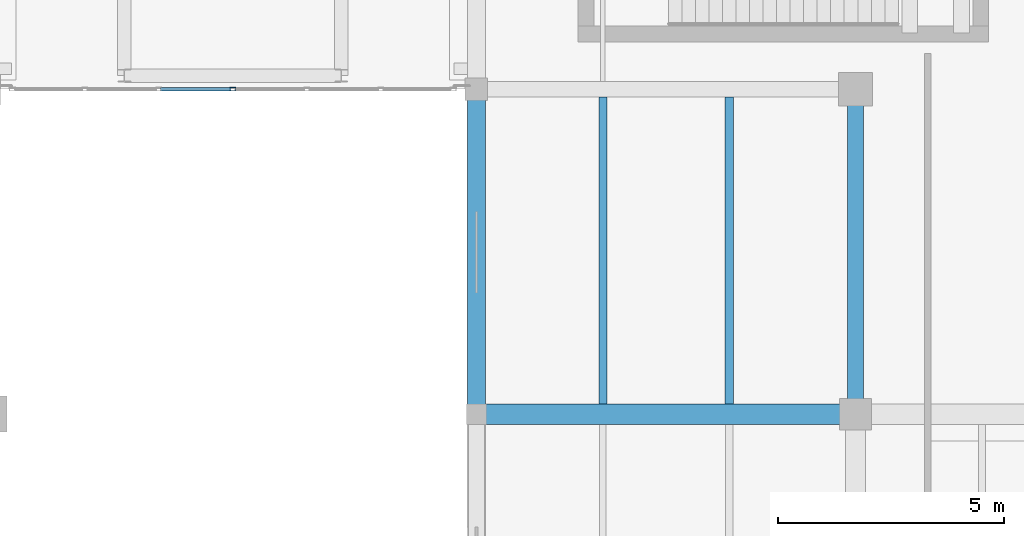
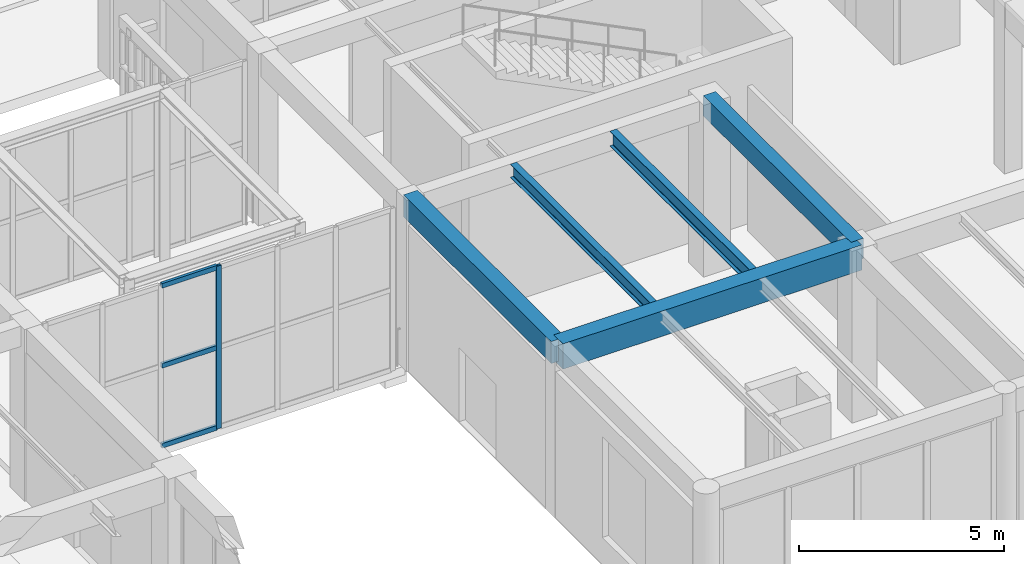
# One storey, part 23 of 169: 5 beams, 4 members, 1 element without a shape of its own.
"""IFC4 building model written with IfcOpenShell, lengths in metres."""

from ifc_helpers import new_model, si_unit, direction, frame, origin, origin_2d, place, context, subcontext, project, spatial, rectangle, hollow_rectangle, i_section, extrude, material, layer, layer_set, material_profile, profile_set, type_object, element, aggregate, save


model = new_model("IFC4")

# Units and contexts
model_context = context("Model", 3, precision=1e-05, world=origin(), true_north=direction((0.0, 1.0)))
body_context = subcontext(model_context, "Body", "Model", "MODEL_VIEW")
ifc_project = project(units=[si_unit("LENGTHUNIT", "METRE"), si_unit("AREAUNIT", "SQUARE_METRE"), si_unit("VOLUMEUNIT", "CUBIC_METRE"), si_unit("PLANEANGLEUNIT", "RADIAN"), si_unit("MASSUNIT", "GRAM", prefix="KILO")], contexts=[model_context])

# Site, building, storey
site_placement = place(None, origin())
site = spatial("IfcSite", under=ifc_project, at=site_placement, CompositionType="ELEMENT")
building_placement = place(site_placement, origin())
building = spatial("IfcBuilding", under=site, at=building_placement, Name="Mazaris Harbour Polytechnic", CompositionType="ELEMENT")
storey_placement = place(building_placement, origin())
storey = spatial("IfcBuildingStorey", under=building, at=storey_placement, Name="L00", CompositionType="ELEMENT", Elevation=0.0)

# Curtain wall, members
ifc_material_1 = material(Name="Anodised Bronze Aluminium and Low-E Glass", Category="aluminium")
ifc_layer = layer(ifc_material_1, 0.139892578125, Name="Anodised Bronze Aluminium and Low-E Glass")
ifc_layer_set = layer_set([ifc_layer], Name="Anodised Bronze Aluminium and Low-E Glass")
curtain_wall_type = type_object("IfcCurtainWallType", Name="Seismic Link Bridge Glazing", PredefinedType="NOTDEFINED", material=ifc_layer_set)
curtain_wall_placement = place(storey_placement, origin())
curtain_wall = element("IfcCurtainWall", 1, at=curtain_wall_placement, inside=storey, type_object=curtain_wall_type, Name="PB-W1 L00 Bridge Glazing", PredefinedType="NOTDEFINED")
ifc_material_2 = material(Name="Anodised Bronze Steel S355", Category="steel")
ifc_material_profile_1 = material_profile(ifc_material_2, hollow_rectangle(XDim=0.080078125, YDim=0.139892578125, WallThickness=0.00634765625, at=origin_2d()), Name="RHS 80x140x6.3")
ifc_profile_set_1 = profile_set([ifc_material_profile_1], Name="Anodised Bronze Steel S355")
member_type_1 = type_object("IfcMemberType", Name="Curtain Mullion RHS80x140", PredefinedType="MULLION", material=ifc_profile_set_1)
member_1_placement = place(storey_placement, frame((48.60009765625, 21.60009765625, 0.0), z_axis=(0.0, 0.0, 1.0), x_axis=(0.0, 1.0, 0.0)))
member_1 = element("IfcMember", 2, at=member_1_placement, type_object=member_type_1, Name="CW-05 mullion 4", PredefinedType="MULLION", context=body_context, shape_type="SweptSolid", body=[
    extrude(hollow_rectangle(XDim=0.080078125, YDim=0.139892578125, WallThickness=0.00634765625, at=origin_2d()), origin(), (0.0, 0.0, 1.0), 4.8349609375),
])
ifc_material_3 = material(Name="Anodised Bronze Steel S355", Category="steel")
ifc_material_profile_2 = material_profile(ifc_material_3, hollow_rectangle(XDim=0.080078125, YDim=0.139892578125, WallThickness=0.00634765625, at=origin_2d()), Name="RHS 80x140x6.3")
ifc_profile_set_2 = profile_set([ifc_material_profile_2], Name="Anodised Bronze Steel S355")
member_type_2 = type_object("IfcMemberType", Name="Curtain Transom RHS80x140", PredefinedType="USERDEFINED", material=ifc_profile_set_2)
member_2_placement = place(storey_placement, frame((47.0, 21.60009765625, 0.0400390625), z_axis=(1.0, 0.0, 0.0), x_axis=(0.0, 1.0, 0.0)))
member_2 = element("IfcMember", 3, at=member_2_placement, type_object=member_type_2, Name="CW-05 transom 3.1", ObjectType="TRANSOM", PredefinedType="USERDEFINED", context=body_context, shape_type="SweptSolid", body=[
    extrude(hollow_rectangle(XDim=0.080078125, YDim=0.139892578125, WallThickness=0.00634765625, at=origin_2d()), origin(), (0.0, 0.0, 1.0), 1.56005859375),
])
member_3_placement = place(storey_placement, frame((47.0, 21.60009765625, 2.41748046875), z_axis=(1.0, 0.0, 0.0), x_axis=(0.0, 1.0, 0.0)))
member_3 = element("IfcMember", 4, at=member_3_placement, type_object=member_type_2, Name="CW-05 transom 3.2", ObjectType="TRANSOM", PredefinedType="USERDEFINED", context=body_context, shape_type="SweptSolid", body=[
    extrude(hollow_rectangle(XDim=0.080078125, YDim=0.139892578125, WallThickness=0.00634765625, at=origin_2d()), origin(), (0.0, 0.0, 1.0), 1.56005859375),
])
member_4_placement = place(storey_placement, frame((47.0, 21.60009765625, 4.794921875), z_axis=(1.0, 0.0, 0.0), x_axis=(0.0, 1.0, 0.0)))
member_4 = element("IfcMember", 5, at=member_4_placement, type_object=member_type_2, Name="CW-05 transom 3.3", ObjectType="TRANSOM", PredefinedType="USERDEFINED", context=body_context, shape_type="SweptSolid", body=[
    extrude(hollow_rectangle(XDim=0.080078125, YDim=0.139892578125, WallThickness=0.00634765625, at=origin_2d()), origin(), (0.0, 0.0, 1.0), 1.56005859375),
])
aggregate(curtain_wall, [member_1, member_2, member_3, member_4])

# Beams
ifc_material_4 = material(Name="Concrete C35/45", Category="concrete")
ifc_material_profile_3 = material_profile(ifc_material_4, rectangle(XDim=0.35009765625, YDim=0.60009765625, at=origin_2d()), Name="RECT350x600")
ifc_profile_set_3 = profile_set([ifc_material_profile_3], Name="Concrete C35/45")
beam_type_1 = type_object("IfcBeamType", Name="RC Girder 350x600", PredefinedType="BEAM", material=ifc_profile_set_3)
beam_1_placement = place(storey_placement, frame((62.39990234375, 14.39990234375, 4.800048828125), z_axis=(0.0, 1.0, 0.0), x_axis=(-1.0, 0.0, 0.0)))
element("IfcBeam", 6, at=beam_1_placement, inside=storey, type_object=beam_type_1, Name="V3 L00 Tie Girder 895", PredefinedType="BEAM", context=body_context, shape_type="SweptSolid", body=[
    extrude(rectangle(XDim=0.35009765625, YDim=0.60009765625, at=origin_2d()), origin(), (0.0, 0.0, 1.0), 7.2001953125),
])
ifc_material_5 = material(Name="Concrete C35/45", Category="concrete")
ifc_material_profile_4 = material_profile(ifc_material_5, rectangle(XDim=0.39990234375, YDim=0.64990234375, at=origin_2d()), Name="RECT400x650")
ifc_profile_set_4 = profile_set([ifc_material_profile_4], Name="Concrete C35/45")
beam_type_2 = type_object("IfcBeamType", Name="RC Girder 400x650 Exterior", PredefinedType="BEAM", material=ifc_profile_set_4)
beam_2_placement = place(storey_placement, frame((54.0, 14.39990234375, 4.77490234375), z_axis=(0.0, 1.0, 0.0), x_axis=(-1.0, 0.0, 0.0)))
element("IfcBeam", 7, at=beam_2_placement, inside=storey, type_object=beam_type_2, Name="V3 L00 Tie Girder 891", PredefinedType="BEAM", context=body_context, shape_type="SweptSolid", body=[
    extrude(rectangle(XDim=0.39990234375, YDim=0.64990234375, at=origin_2d()), origin(), (0.0, 0.0, 1.0), 7.2001953125),
])
ifc_material_6 = material(Name="Concrete C40/50", Category="concrete")
ifc_material_profile_5 = material_profile(ifc_material_6, rectangle(XDim=0.449951171875, YDim=0.75, at=origin_2d()), Name="RECT450x750")
ifc_profile_set_5 = profile_set([ifc_material_profile_5], Name="Concrete C40/50")
beam_type_3 = type_object("IfcBeamType", Name="RC Girder 450x750", PredefinedType="BEAM", material=ifc_profile_set_5)
beam_3_placement = place(storey_placement, frame((54.0, 14.39990234375, 4.72509765625), z_axis=(1.0, 0.0, 0.0), x_axis=(0.0, 1.0, 0.0)))
element("IfcBeam", 8, at=beam_3_placement, inside=storey, type_object=beam_type_3, Name="V3 L00 Girder 863", PredefinedType="BEAM", context=body_context, shape_type="SweptSolid", body=[
    extrude(rectangle(XDim=0.449951171875, YDim=0.75, at=origin_2d()), origin(), (0.0, 0.0, 1.0), 8.39990234375),
])
ifc_material_7 = material(Name="Steel S355", Category="steel")
ifc_material_profile_6 = material_profile(ifc_material_7, i_section(OverallWidth=0.179931640625, OverallDepth=0.39990234375, WebThickness=0.008544921875, FlangeThickness=0.013427734375, FilletRadius=0.02099609375, at=origin_2d()), Name="IPE 400")
ifc_profile_set_6 = profile_set([ifc_material_profile_6], Name="Steel S355")
beam_type_4 = type_object("IfcBeamType", Name="Steel Joist IPE400", PredefinedType="JOIST", material=ifc_profile_set_6)
beam_4_placement = place(storey_placement, frame((56.800048828125, 14.625, 4.89990234375), z_axis=(0.0, 1.0, 0.0), x_axis=(-1.0, 0.0, 0.0)))
element("IfcBeam", 9, at=beam_4_placement, inside=storey, type_object=beam_type_4, Name="V3 L00 Floor Joist 922", PredefinedType="JOIST", context=body_context, shape_type="SweptSolid", body=[
    extrude(i_section(OverallWidth=0.179931640625, OverallDepth=0.39990234375, WebThickness=0.008544921875, FlangeThickness=0.013427734375, FilletRadius=0.02099609375, at=origin_2d()), origin(), (0.0, 0.0, 1.0), 6.800048828125),
])
ifc_material_8 = material(Name="Steel S355", Category="steel")
ifc_material_profile_7 = material_profile(ifc_material_8, i_section(OverallWidth=0.18994140625, OverallDepth=0.449951171875, WebThickness=0.009521484375, FlangeThickness=0.0146484375, FilletRadius=0.02099609375, at=origin_2d()), Name="IPE 450")
ifc_profile_set_7 = profile_set([ifc_material_profile_7], Name="Steel S355")
beam_type_5 = type_object("IfcBeamType", Name="Steel Joist IPE450", PredefinedType="JOIST", material=ifc_profile_set_7)
beam_5_placement = place(storey_placement, frame((59.60009765625, 14.625, 4.875), z_axis=(0.0, 1.0, 0.0), x_axis=(-1.0, 0.0, 0.0)))
element("IfcBeam", 10, at=beam_5_placement, inside=storey, type_object=beam_type_5, Name="V3 L00 Floor Joist 923", PredefinedType="JOIST", context=body_context, shape_type="SweptSolid", body=[
    extrude(i_section(OverallWidth=0.18994140625, OverallDepth=0.449951171875, WebThickness=0.009521484375, FlangeThickness=0.0146484375, FilletRadius=0.02099609375, at=origin_2d()), origin(), (0.0, 0.0, 1.0), 6.800048828125),
])

save(model, "model.ifc")
